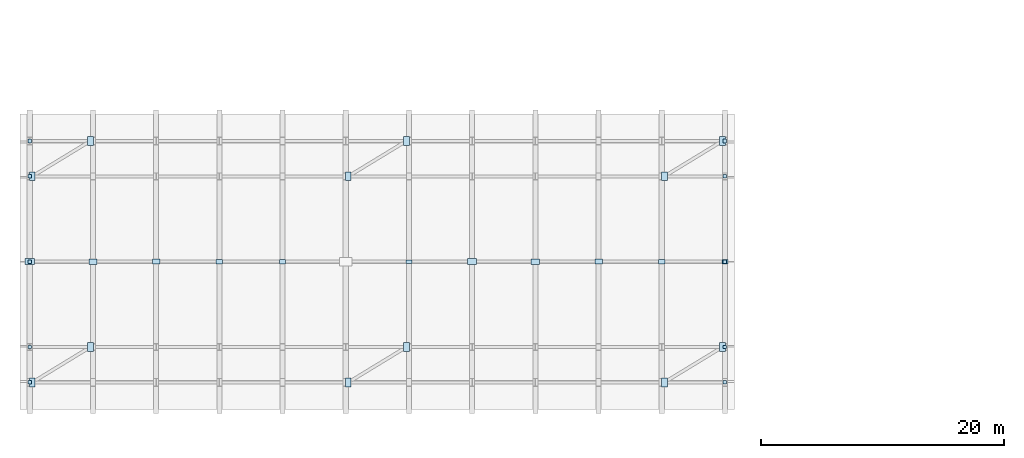
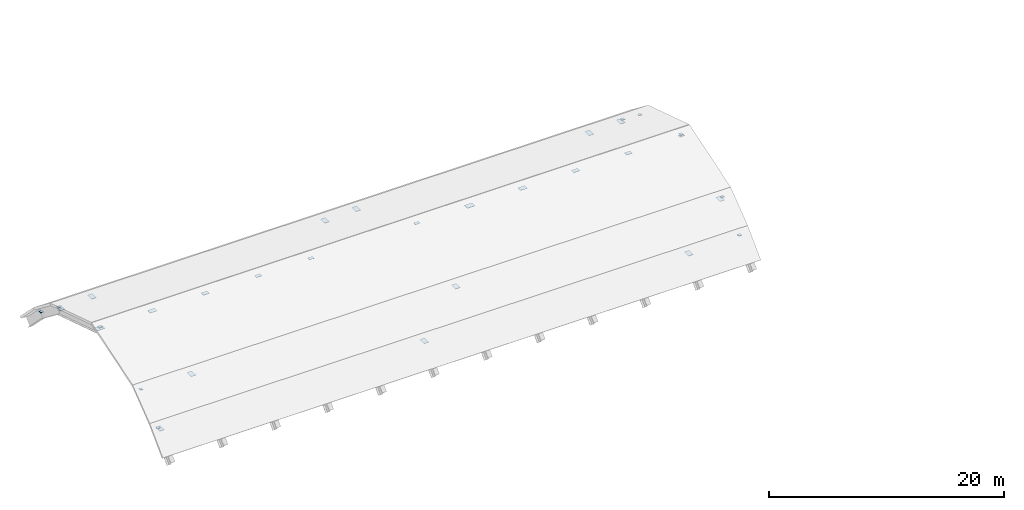
# One storey, part 5 of 6: 33 plates.
"""IFC4 building model written with IfcOpenShell, lengths in metres."""

from ifc_helpers import new_model, si_unit, direction, frame, origin, origin_2d, place, context, subcontext, project, spatial, rectangle, extrude, material, layer, layer_set, type_object, element, save


model = new_model("IFC4")

# Units and contexts
model_context = context("Model", 3, precision=1e-05, world=origin(), true_north=direction((0.0, 1.0)))
body_context = subcontext(model_context, "Body", "Model", "MODEL_VIEW")
ifc_project = project(units=[si_unit("LENGTHUNIT", "METRE"), si_unit("AREAUNIT", "SQUARE_METRE"), si_unit("VOLUMEUNIT", "CUBIC_METRE"), si_unit("PLANEANGLEUNIT", "RADIAN"), si_unit("MASSUNIT", "GRAM", prefix="KILO")], contexts=[model_context])

# Site, building, storey
site_placement = place(None, origin())
site = spatial("IfcSite", under=ifc_project, at=site_placement, CompositionType="ELEMENT")
building_placement = place(site_placement, origin())
building = spatial("IfcBuilding", under=site, at=building_placement, Name="Solvento Point Concert Hall", CompositionType="ELEMENT")
storey_placement = place(building_placement, frame((0.0, 0.0, 27.89990234375)))
storey = spatial("IfcBuildingStorey", under=building, at=storey_placement, Name="RF", CompositionType="ELEMENT", Elevation=27.89990234375)

# Plates
ifc_material_1 = material(Name="Structural Steel ASTM A572 Grade 50", Category="steel")
ifc_layer_1 = layer(ifc_material_1, 0.02197265625)
ifc_layer_set_1 = layer_set([ifc_layer_1], Name="Structural Steel ASTM A572 Grade 50")
plate_type_1 = type_object("IfcPlateType", Name="CapPlate_CHS273", PredefinedType="SHEET", material=ifc_layer_set_1)
for number, where, z_axis, x_axis, name in (
    (1, (75.215087890625, 58.069580078125, 0.04248046875), (0.0, 0.0, 1.0), (0.0, 1.0, 0.0), "Hollow purlin end-cap plate PL-22"),
    (2, (75.215087890625, 68.0, 4.509033203125), (0.0, 0.0, 1.0), (0.0, 1.0, 0.0), "Hollow purlin end-cap plate PL-22"),
    (3, (75.215087890625, 77.930419921875, 0.04248046875), (0.0, 0.0, 1.0), (0.0, 1.0, 0.0), "Hollow purlin end-cap plate PL-22"),
    (4, (132.385009765625, 58.069580078125, 0.04248046875), (0.0, 0.0, 1.0), (0.0, 1.0, 0.0), "Hollow purlin end-cap plate PL-22"),
    (5, (132.385009765625, 68.0, 4.509033203125), (0.0, 0.0, 1.0), (0.0, 1.0, 0.0), "Hollow purlin end-cap plate PL-22"),
    (6, (132.385009765625, 77.930419921875, 0.04248046875), (0.0, 0.0, 1.0), (0.0, 1.0, 0.0), "Hollow purlin end-cap plate PL-22"),
):
    element("IfcPlate", number, at=place(storey_placement, frame(where, z_axis=z_axis, x_axis=x_axis)), inside=storey, type_object=plate_type_1, Name=name, PredefinedType="SHEET", context=body_context, shape_type="SweptSolid", body=[
        extrude(rectangle(XDim=0.300048828125, YDim=0.300048828125, at=origin_2d()), origin(), (0.0, 0.0, 1.0), 0.02197265625),
    ])
ifc_material_2 = material(Name="Structural Steel ASTM A572 Grade 50", Category="steel")
ifc_layer_2 = layer(ifc_material_2, 0.02001953125)
ifc_layer_set_2 = layer_set([ifc_layer_2], Name="Structural Steel ASTM A572 Grade 50")
plate_type_2 = type_object("IfcPlateType", Name="CapPlate_HSS10", PredefinedType="SHEET", material=ifc_layer_set_2)
for number, where, z_axis, x_axis, name in (
    (7, (75.215087890625, 60.97802734375, 2.27685546875), (0.0, 0.0, 1.0), (0.0, 1.0, 0.0), "Hollow purlin end-cap plate PL-20"),
    (8, (75.215087890625, 75.02197265625, 2.27685546875), (0.0, 0.0, 1.0), (0.0, 1.0, 0.0), "Hollow purlin end-cap plate PL-20"),
    (9, (132.385009765625, 60.97802734375, 2.27685546875), (0.0, 0.0, 1.0), (0.0, 1.0, 0.0), "Hollow purlin end-cap plate PL-20"),
    (10, (132.385009765625, 75.02197265625, 2.27685546875), (0.0, 0.0, 1.0), (0.0, 1.0, 0.0), "Hollow purlin end-cap plate PL-20"),
):
    element("IfcPlate", number, at=place(storey_placement, frame(where, z_axis=z_axis, x_axis=x_axis)), inside=storey, type_object=plate_type_2, Name=name, PredefinedType="SHEET", context=body_context, shape_type="SweptSolid", body=[
        extrude(rectangle(XDim=0.280029296875, YDim=0.280029296875, at=origin_2d()), origin(), (0.0, 0.0, 1.0), 0.02001953125),
    ])
ifc_material_3 = material(Name="Structural Steel ASTM A572 Grade 50", Category="steel")
ifc_layer_3 = layer(ifc_material_3, 0.02392578125)
ifc_layer_set_3 = layer_set([ifc_layer_3], Name="Structural Steel ASTM A572 Grade 50")
plate_type_3 = type_object("IfcPlateType", Name="GussetPlate_24E", PredefinedType="SHEET", material=ifc_layer_set_3)
for number, where, z_axis, x_axis, name in (
    (11, (96.0, 68.0, 4.338134765625), (0.0, 0.0, 1.0), (1.0, 0.0, 0.0), "Arch rib crown splice node PL-24E"),
    (12, (132.39990234375, 68.0, 4.338134765625), (0.0, 0.0, 1.0), (1.0, 0.0, 0.0), "Arch rib crown splice node PL-24E"),
):
    element("IfcPlate", number, at=place(storey_placement, frame(where, z_axis=z_axis, x_axis=x_axis)), inside=storey, type_object=plate_type_3, Name=name, PredefinedType="SHEET", context=body_context, shape_type="SweptSolid", body=[
        extrude(rectangle(XDim=0.5, YDim=0.340087890625, at=origin_2d()), origin(), (0.0, 0.0, 1.0), 0.02392578125),
    ])
ifc_material_4 = material(Name="Structural Steel ASTM A572 Grade 50", Category="steel")
ifc_layer_4 = layer(ifc_material_4, 0.02587890625)
ifc_layer_set_4 = layer_set([ifc_layer_4], Name="Structural Steel ASTM A572 Grade 50")
plate_type_4 = type_object("IfcPlateType", Name="GussetPlate_26D", PredefinedType="SHEET", material=ifc_layer_set_4)
for number, where, z_axis, x_axis, name in (
    (13, (90.800048828125, 68.0, 4.337158203125), (0.0, 0.0, 1.0), (1.0, 0.0, 0.0), "Arch rib crown splice node PL-26D"),
    (14, (127.199951171875, 68.0, 4.337158203125), (0.0, 0.0, 1.0), (1.0, 0.0, 0.0), "Arch rib crown splice node PL-26D"),
):
    element("IfcPlate", number, at=place(storey_placement, frame(where, z_axis=z_axis, x_axis=x_axis)), inside=storey, type_object=plate_type_4, Name=name, PredefinedType="SHEET", context=body_context, shape_type="SweptSolid", body=[
        extrude(rectangle(XDim=0.56005859375, YDim=0.3798828125, at=origin_2d()), origin(), (0.0, 0.0, 1.0), 0.02587890625),
    ])
ifc_material_5 = material(Name="Structural Steel ASTM A572 Grade 50", Category="steel")
ifc_layer_5 = layer(ifc_material_5, 0.028076171875)
ifc_layer_set_5 = layer_set([ifc_layer_5], Name="Structural Steel ASTM A572 Grade 50")
plate_type_5 = type_object("IfcPlateType", Name="GussetPlate_28C", PredefinedType="SHEET", material=ifc_layer_set_5)
for number, where, z_axis, x_axis, name in (
    (15, (85.60009765625, 68.0, 4.3359375), (0.0, 0.0, 1.0), (1.0, 0.0, 0.0), "Arch rib crown splice node PL-28C"),
    (16, (122.0, 68.0, 4.3359375), (0.0, 0.0, 1.0), (1.0, 0.0, 0.0), "Arch rib crown splice node PL-28C"),
):
    element("IfcPlate", number, at=place(storey_placement, frame(where, z_axis=z_axis, x_axis=x_axis)), inside=storey, type_object=plate_type_5, Name=name, PredefinedType="SHEET", context=body_context, shape_type="SweptSolid", body=[
        extrude(rectangle(XDim=0.6201171875, YDim=0.419921875, at=origin_2d()), origin(), (0.0, 0.0, 1.0), 0.028076171875),
    ])
ifc_material_6 = material(Name="Structural Steel ASTM A572 Grade 50", Category="steel")
ifc_layer_6 = layer(ifc_material_6, 0.030029296875)
ifc_layer_set_6 = layer_set([ifc_layer_6], Name="Structural Steel ASTM A572 Grade 50")
plate_type_6 = type_object("IfcPlateType", Name="GussetPlate_30B", PredefinedType="SHEET", material=ifc_layer_set_6)
for number, where, z_axis, x_axis, name in (
    (17, (80.39990234375, 68.0, 4.3349609375), (0.0, 0.0, 1.0), (1.0, 0.0, 0.0), "Arch rib crown splice node PL-30B"),
    (18, (116.800048828125, 68.0, 4.3349609375), (0.0, 0.0, 1.0), (1.0, 0.0, 0.0), "Arch rib crown splice node PL-30B"),
):
    element("IfcPlate", number, at=place(storey_placement, frame(where, z_axis=z_axis, x_axis=x_axis)), inside=storey, type_object=plate_type_6, Name=name, PredefinedType="SHEET", context=body_context, shape_type="SweptSolid", body=[
        extrude(rectangle(XDim=0.679931640625, YDim=0.4599609375, at=origin_2d()), origin(), (0.0, 0.0, 1.0), 0.030029296875),
    ])
ifc_material_7 = material(Name="Structural Steel ASTM A572 Grade 50", Category="steel")
ifc_layer_7 = layer(ifc_material_7, 0.031982421875)
ifc_layer_set_7 = layer_set([ifc_layer_7], Name="Structural Steel ASTM A572 Grade 50")
plate_type_7 = type_object("IfcPlateType", Name="GussetPlate_32A", PredefinedType="SHEET", material=ifc_layer_set_7)
for number, where, z_axis, x_axis, name in (
    (19, (75.199951171875, 68.0, 4.333984375), (0.0, 0.0, 1.0), (1.0, 0.0, 0.0), "Arch rib crown splice node PL-32A"),
    (20, (111.60009765625, 68.0, 4.333984375), (0.0, 0.0, 1.0), (1.0, 0.0, 0.0), "Arch rib crown splice node PL-32A"),
):
    element("IfcPlate", number, at=place(storey_placement, frame(where, z_axis=z_axis, x_axis=x_axis)), inside=storey, type_object=plate_type_7, Name=name, PredefinedType="SHEET", context=body_context, shape_type="SweptSolid", body=[
        extrude(rectangle(XDim=0.75, YDim=0.5, at=origin_2d()), origin(), (0.0, 0.0, 1.0), 0.031982421875),
    ])
ifc_material_8 = material(Name="Structural Steel ASTM A572 Grade 50", Category="steel")
ifc_layer_8 = layer(ifc_material_8, 0.02490234375)
ifc_layer_set_8 = layer_set([ifc_layer_8], Name="Structural Steel ASTM A572 Grade 50")
plate_type_8 = type_object("IfcPlateType", Name="NodePlate_AR03", PredefinedType="SHEET", material=ifc_layer_set_8)
for number, where, z_axis, x_axis, name in (
    (21, (75.41162109375, 58.069580078125, -0.129150390625), (0.0, 0.0, 1.0), (0.0, 1.0, 0.0), "Shell lateral brace gusset node ND-AR03"),
    (22, (80.1884765625, 60.97802734375, 2.104248046875), (0.0, 0.0, 1.0), (0.0, 1.0, 0.0), "Shell lateral brace gusset node ND-AR03"),
    (23, (75.41162109375, 75.02197265625, 2.104248046875), (0.0, 0.0, 1.0), (0.0, 1.0, 0.0), "Shell lateral brace gusset node ND-AR03"),
    (24, (80.1884765625, 77.930419921875, -0.129150390625), (0.0, 0.0, 1.0), (0.0, 1.0, 0.0), "Shell lateral brace gusset node ND-AR03"),
    (25, (101.41162109375, 58.069580078125, -0.129150390625), (0.0, 0.0, 1.0), (0.0, 1.0, 0.0), "Shell lateral brace gusset node ND-AR03"),
    (26, (106.1884765625, 60.97802734375, 2.104248046875), (0.0, 0.0, 1.0), (0.0, 1.0, 0.0), "Shell lateral brace gusset node ND-AR03"),
    (27, (101.41162109375, 75.02197265625, 2.104248046875), (0.0, 0.0, 1.0), (0.0, 1.0, 0.0), "Shell lateral brace gusset node ND-AR03"),
    (28, (106.1884765625, 77.930419921875, -0.129150390625), (0.0, 0.0, 1.0), (0.0, 1.0, 0.0), "Shell lateral brace gusset node ND-AR03"),
    (29, (127.41162109375, 58.069580078125, -0.129150390625), (0.0, 0.0, 1.0), (0.0, 1.0, 0.0), "Shell lateral brace gusset node ND-AR03"),
    (30, (132.1884765625, 60.97802734375, 2.104248046875), (0.0, 0.0, 1.0), (0.0, 1.0, 0.0), "Shell lateral brace gusset node ND-AR03"),
    (31, (127.41162109375, 75.02197265625, 2.104248046875), (0.0, 0.0, 1.0), (0.0, 1.0, 0.0), "Shell lateral brace gusset node ND-AR03"),
    (32, (132.1884765625, 77.930419921875, -0.129150390625), (0.0, 0.0, 1.0), (0.0, 1.0, 0.0), "Shell lateral brace gusset node ND-AR03"),
):
    element("IfcPlate", number, at=place(storey_placement, frame(where, z_axis=z_axis, x_axis=x_axis)), inside=storey, type_object=plate_type_8, Name=name, PredefinedType="SHEET", context=body_context, shape_type="SweptSolid", body=[
        extrude(rectangle(XDim=0.719970703125, YDim=0.47998046875, at=origin_2d()), origin(), (0.0, 0.0, 1.0), 0.02490234375),
    ])
ifc_material_9 = material(Name="Structural Steel ASTM A572 Grade 50", Category="steel")
ifc_layer_9 = layer(ifc_material_9, 0.02197265625)
ifc_layer_set_9 = layer_set([ifc_layer_9], Name="Structural Steel ASTM A572 Grade 50")
plate_type_9 = type_object("IfcPlateType", Name="SplicePlate_22", PredefinedType="SHEET", material=ifc_layer_set_9)
plate_placement = place(storey_placement, frame((106.39990234375, 68.0, 4.339111328125), z_axis=(0.0, 0.0, 1.0), x_axis=(1.0, 0.0, 0.0)))
element("IfcPlate", 33, at=plate_placement, inside=storey, type_object=plate_type_9, Name="Arch rib crown splice node PL-SP1", PredefinedType="SHEET", context=body_context, shape_type="SweptSolid", body=[
    extrude(rectangle(XDim=0.47998046875, YDim=0.320068359375, at=origin_2d()), origin(), (0.0, 0.0, 1.0), 0.02197265625),
])

save(model, "model.ifc")
